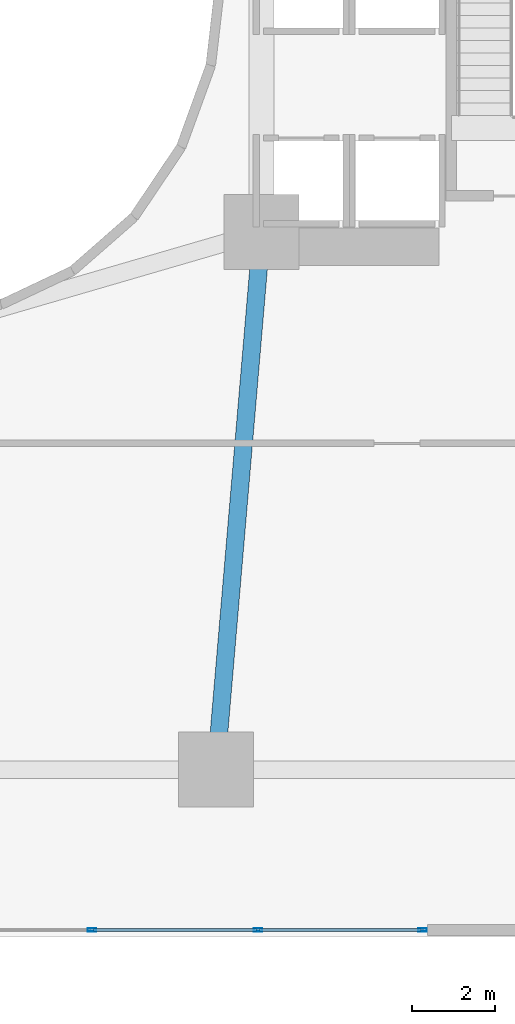
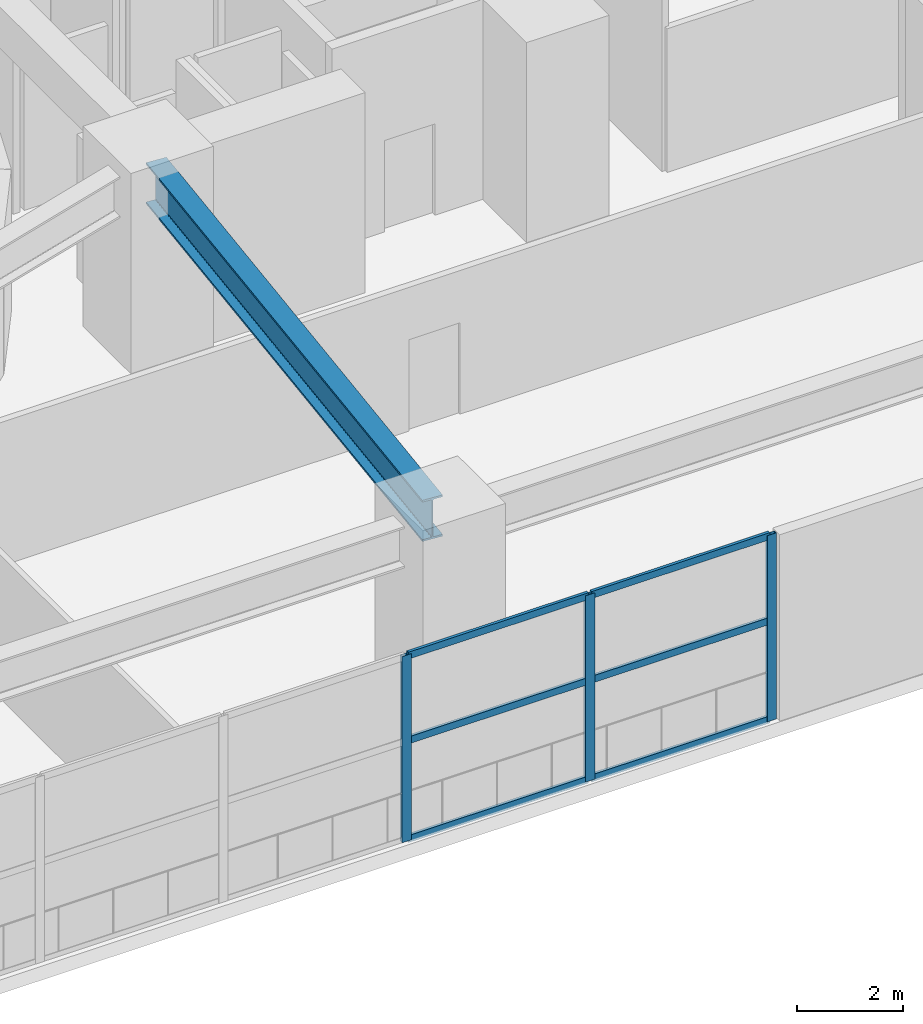
# One storey, part 4 of 20: 9 members, 1 beam, 1 element without a shape of its own.
"""IFC4 building model written with IfcOpenShell, lengths in metres."""

from ifc_helpers import new_model, si_unit, direction, frame, origin, origin_2d, place, context, subcontext, project, spatial, hollow_rectangle, i_section, extrude, material, layer, layer_set, material_profile, profile_set, type_object, element, aggregate, save


model = new_model("IFC4")

# Units and contexts
model_context = context("Model", 3, precision=1e-05, world=origin(), true_north=direction((0.0, 1.0)))
body_context = subcontext(model_context, "Body", "Model", "MODEL_VIEW")
ifc_project = project(units=[si_unit("LENGTHUNIT", "METRE"), si_unit("AREAUNIT", "SQUARE_METRE"), si_unit("VOLUMEUNIT", "CUBIC_METRE"), si_unit("PLANEANGLEUNIT", "RADIAN"), si_unit("MASSUNIT", "GRAM", prefix="KILO")], contexts=[model_context])

# Site, building, storey
site_placement = place(None, origin())
site = spatial("IfcSite", under=ifc_project, at=site_placement, CompositionType="ELEMENT")
building_placement = place(site_placement, origin())
building = spatial("IfcBuilding", under=site, at=building_placement, Name="Solvane Sanctuary Tower", CompositionType="ELEMENT")
storey_placement = place(building_placement, frame((0.0, 0.0, 18.39990234375)))
storey = spatial("IfcBuildingStorey", under=building, at=storey_placement, Name="L05", CompositionType="ELEMENT", Elevation=18.39990234375)

# Beam
ifc_material_1 = material(Name="Steel ASTM A913 Grade 65", Category="steel")
ifc_material_profile_1 = material_profile(ifc_material_1, i_section(OverallWidth=0.423095703125, OverallDepth=0.947998046875, WebThickness=0.02392578125, FlangeThickness=0.042724609375, FilletRadius=0.02392578125, at=origin_2d()), Name="W36X302")
ifc_profile_set_1 = profile_set([ifc_material_profile_1], Name="Steel ASTM A913 Grade 65")
beam_type = type_object("IfcBeamType", Name="Beam B-POD-GIRD W36X302", PredefinedType="BEAM", material=ifc_profile_set_1)
beam_placement = place(storey_placement, frame((39.02978515625, 4.3486328125, 3.80419921875), z_axis=(0.084962372295, 0.996384160499, 0.0), x_axis=(-0.996384160499, 0.084962372295, 0.0)))
element("IfcBeam", 1, at=beam_placement, inside=storey, type_object=beam_type, Name="L05 Podium Primary Girder PG10", PredefinedType="BEAM", context=body_context, shape_type="SweptSolid", body=[
    extrude(i_section(OverallWidth=0.423095703125, OverallDepth=0.947998046875, WebThickness=0.02392578125, FlangeThickness=0.042724609375, FilletRadius=0.02392578125, at=origin_2d()), origin(), (0.0, 0.0, 1.0), 12.246826171875),
])

# Curtain wall, members
ifc_material_2 = material(Name="Anodised Aluminium 6063-T6", Category="aluminium")
ifc_layer = layer(ifc_material_2, 0.159912109375, Name="Anodised Aluminium 6063-T6")
ifc_layer_set = layer_set([ifc_layer], Name="Anodised Aluminium 6063-T6")
curtain_wall_type = type_object("IfcCurtainWallType", Name="Curtain Wall CW-POD", PredefinedType="NOTDEFINED", material=ifc_layer_set)
curtain_wall_placement = place(storey_placement, origin())
curtain_wall = element("IfcCurtainWall", 2, at=curtain_wall_placement, inside=storey, type_object=curtain_wall_type, Name="L05 Sanctuary Curtain Wall S2", PredefinedType="NOTDEFINED")
ifc_material_profile_2 = material_profile(ifc_material_2, hollow_rectangle(XDim=0.074951171875, YDim=0.199951171875, WallThickness=0.00390625, at=origin_2d()), Name="ALU200X75X4")
ifc_profile_set_2 = profile_set([ifc_material_profile_2], Name="Anodised Aluminium 6063-T6")
member_type_1 = type_object("IfcMemberType", Name="Member M-CW-MUL-1 ALU200X75X4", PredefinedType="MULLION", material=ifc_profile_set_2)
member_1_placement = place(storey_placement, frame((36.026611328125, 0.14990234375, 0.0), z_axis=(0.0, 0.0, 1.0), x_axis=(0.0, 1.0, 0.0)))
member_1 = element("IfcMember", 3, at=member_1_placement, type_object=member_type_1, Name="CW-POD mullion 5", PredefinedType="MULLION", context=body_context, shape_type="SweptSolid", body=[
    extrude(hollow_rectangle(XDim=0.074951171875, YDim=0.199951171875, WallThickness=0.00390625, at=origin_2d()), origin(), (0.0, 0.0, 1.0), 4.280029296875),
])
member_2_placement = place(storey_placement, frame((40.013427734375, 0.14990234375, 0.0), z_axis=(0.0, 0.0, 1.0), x_axis=(0.0, 1.0, 0.0)))
member_2 = element("IfcMember", 4, at=member_2_placement, type_object=member_type_1, Name="CW-POD mullion 6", PredefinedType="MULLION", context=body_context, shape_type="SweptSolid", body=[
    extrude(hollow_rectangle(XDim=0.074951171875, YDim=0.199951171875, WallThickness=0.00390625, at=origin_2d()), origin(), (0.0, 0.0, 1.0), 4.280029296875),
])
member_3_placement = place(storey_placement, frame((43.96240234375, 0.14990234375, 0.0), z_axis=(0.0, 0.0, 1.0), x_axis=(0.0, 1.0, 0.0)))
member_3 = element("IfcMember", 5, at=member_3_placement, type_object=member_type_1, Name="CW-POD mullion 7", PredefinedType="MULLION", context=body_context, shape_type="SweptSolid", body=[
    extrude(hollow_rectangle(XDim=0.074951171875, YDim=0.199951171875, WallThickness=0.00390625, at=origin_2d()), origin(), (0.0, 0.0, 1.0), 4.280029296875),
])
ifc_material_profile_3 = material_profile(ifc_material_2, hollow_rectangle(XDim=0.06494140625, YDim=0.159912109375, WallThickness=0.00341796875, at=origin_2d()), Name="ALU160X65X3.5")
ifc_profile_set_3 = profile_set([ifc_material_profile_3], Name="Anodised Aluminium 6063-T6")
member_type_2 = type_object("IfcMemberType", Name="Member M-CW-TRN-1 ALU160X65X3.5", PredefinedType="USERDEFINED", material=ifc_profile_set_3)
member_4_placement = place(storey_placement, frame((36.064208984375, 0.14990234375, 0.03271484375), z_axis=(1.0, 0.0, 0.0), x_axis=(0.0, 1.0, 0.0)))
member_4 = element("IfcMember", 6, at=member_4_placement, type_object=member_type_2, Name="CW-POD transom 5.1", ObjectType="TRANSOM", PredefinedType="USERDEFINED", context=body_context, shape_type="SweptSolid", body=[
    extrude(hollow_rectangle(XDim=0.06494140625, YDim=0.159912109375, WallThickness=0.00341796875, at=origin_2d()), origin(), (0.0, 0.0, 1.0), 3.91162109375),
])
member_5_placement = place(storey_placement, frame((36.064208984375, 0.14990234375, 2.300048828125), z_axis=(1.0, 0.0, 0.0), x_axis=(0.0, 1.0, 0.0)))
member_5 = element("IfcMember", 7, at=member_5_placement, type_object=member_type_2, Name="CW-POD transom 5.2", ObjectType="TRANSOM", PredefinedType="USERDEFINED", context=body_context, shape_type="SweptSolid", body=[
    extrude(hollow_rectangle(XDim=0.06494140625, YDim=0.159912109375, WallThickness=0.00341796875, at=origin_2d()), origin(), (0.0, 0.0, 1.0), 3.91162109375),
])
member_6_placement = place(storey_placement, frame((36.064208984375, 0.14990234375, 4.24755859375), z_axis=(1.0, 0.0, 0.0), x_axis=(0.0, 1.0, 0.0)))
member_6 = element("IfcMember", 8, at=member_6_placement, type_object=member_type_2, Name="CW-POD transom 5.3", ObjectType="TRANSOM", PredefinedType="USERDEFINED", context=body_context, shape_type="SweptSolid", body=[
    extrude(hollow_rectangle(XDim=0.06494140625, YDim=0.159912109375, WallThickness=0.00341796875, at=origin_2d()), origin(), (0.0, 0.0, 1.0), 3.91162109375),
])
member_7_placement = place(storey_placement, frame((40.05078125, 0.14990234375, 0.03271484375), z_axis=(1.0, 0.0, 0.0), x_axis=(0.0, 1.0, 0.0)))
member_7 = element("IfcMember", 9, at=member_7_placement, type_object=member_type_2, Name="CW-POD transom 6.1", ObjectType="TRANSOM", PredefinedType="USERDEFINED", context=body_context, shape_type="SweptSolid", body=[
    extrude(hollow_rectangle(XDim=0.06494140625, YDim=0.159912109375, WallThickness=0.00341796875, at=origin_2d()), origin(), (0.0, 0.0, 1.0), 3.874267578125),
])
member_8_placement = place(storey_placement, frame((40.05078125, 0.14990234375, 2.300048828125), z_axis=(1.0, 0.0, 0.0), x_axis=(0.0, 1.0, 0.0)))
member_8 = element("IfcMember", 10, at=member_8_placement, type_object=member_type_2, Name="CW-POD transom 6.2", ObjectType="TRANSOM", PredefinedType="USERDEFINED", context=body_context, shape_type="SweptSolid", body=[
    extrude(hollow_rectangle(XDim=0.06494140625, YDim=0.159912109375, WallThickness=0.00341796875, at=origin_2d()), origin(), (0.0, 0.0, 1.0), 3.874267578125),
])
member_9_placement = place(storey_placement, frame((40.05078125, 0.14990234375, 4.24755859375), z_axis=(1.0, 0.0, 0.0), x_axis=(0.0, 1.0, 0.0)))
member_9 = element("IfcMember", 11, at=member_9_placement, type_object=member_type_2, Name="CW-POD transom 6.3", ObjectType="TRANSOM", PredefinedType="USERDEFINED", context=body_context, shape_type="SweptSolid", body=[
    extrude(hollow_rectangle(XDim=0.06494140625, YDim=0.159912109375, WallThickness=0.00341796875, at=origin_2d()), origin(), (0.0, 0.0, 1.0), 3.874267578125),
])
aggregate(curtain_wall, [member_1, member_2, member_3, member_4, member_5, member_6, member_7, member_8, member_9])

save(model, "model.ifc")
